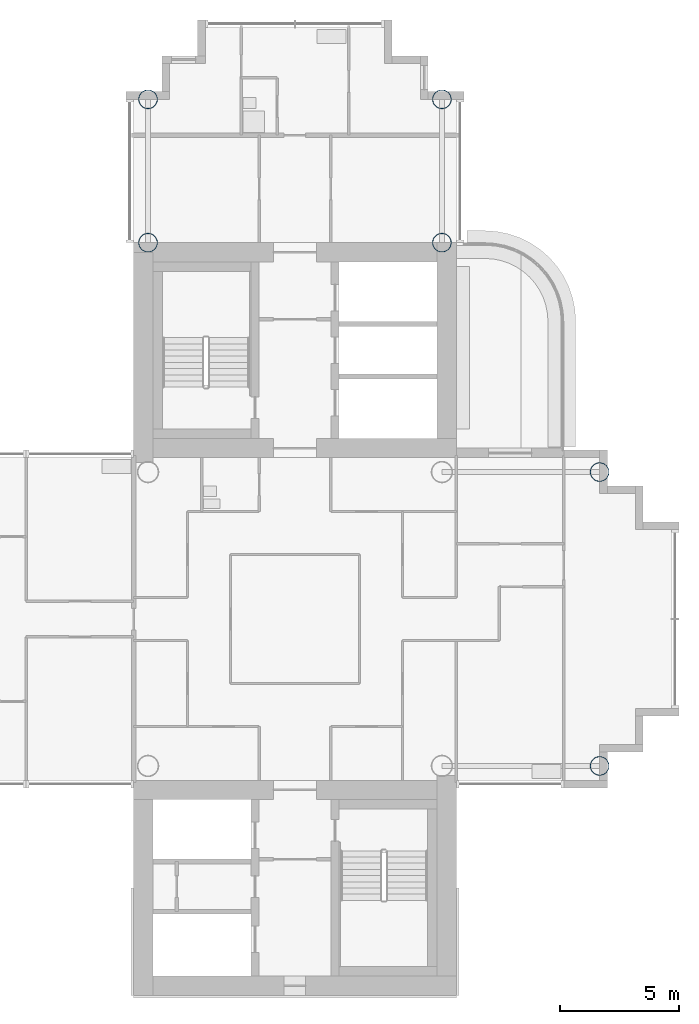
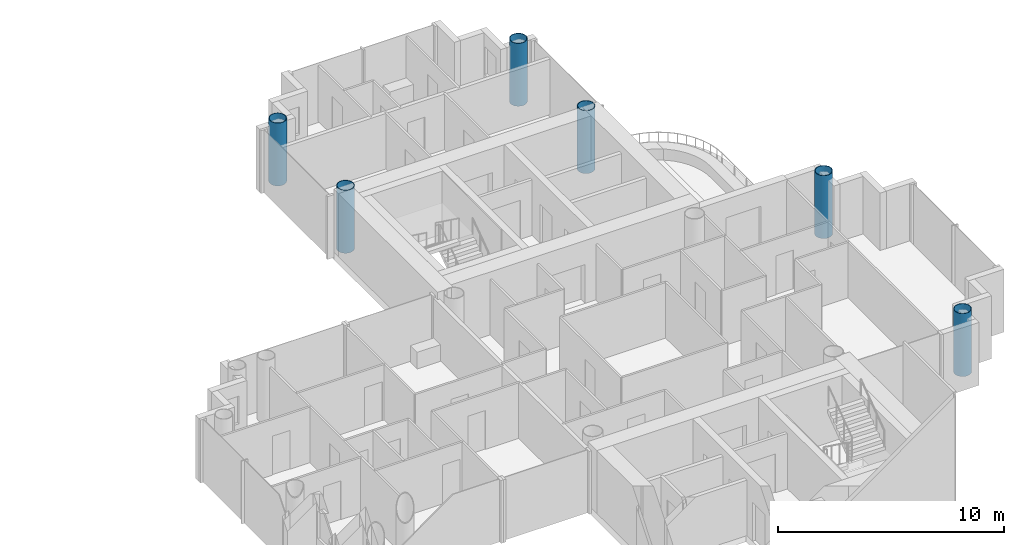
# One storey, part 2 of 20: 6 columns.
"""IFC4 building model written with IfcOpenShell, lengths in metres."""

from ifc_helpers import new_model, si_unit, direction, frame, origin, origin_2d, place, context, subcontext, project, spatial, hollow_circle, extrude, material, material_profile, profile_set, type_object, element, save


model = new_model("IFC4")

# Units and contexts
model_context = context("Model", 3, precision=1e-05, world=origin(), true_north=direction((0.0, 1.0)))
body_context = subcontext(model_context, "Body", "Model", "MODEL_VIEW")
ifc_project = project(units=[si_unit("LENGTHUNIT", "METRE"), si_unit("AREAUNIT", "SQUARE_METRE"), si_unit("VOLUMEUNIT", "CUBIC_METRE"), si_unit("PLANEANGLEUNIT", "RADIAN"), si_unit("MASSUNIT", "GRAM", prefix="KILO")], contexts=[model_context])

# Site, building, storey
site_placement = place(None, origin())
site = spatial("IfcSite", under=ifc_project, at=site_placement, CompositionType="ELEMENT")
building_placement = place(site_placement, origin())
building = spatial("IfcBuilding", under=site, at=building_placement, Name="Ipe Terrace Towers", CompositionType="ELEMENT")
storey_placement = place(building_placement, frame((0.0, 0.0, 160.89990234375)))
storey = spatial("IfcBuildingStorey", under=building, at=storey_placement, Name="L44", CompositionType="ELEMENT", Elevation=160.89990234375)

# Columns
ifc_material = material(Name="Steel S355 tube with Concrete C60/75 fill", Category="concrete")
ifc_material_profile = material_profile(ifc_material, hollow_circle(Radius=0.39990234375, WallThickness=0.028076171875, at=origin_2d()), Name="CHS-800x28")
ifc_profile_set = profile_set([ifc_material_profile], Name="Steel S355 tube with Concrete C60/75 fill")
column_type = type_object("IfcColumnType", Name="CH09 COLUMN CHS-800x28", PredefinedType="COLUMN", material=ifc_profile_set)
for number, where, z_axis, x_axis, name in (
    (1, (42.14990234375, 15.75, 0.0), (0.0, 0.0, 1.0), (1.0, 0.0, 0.0), "Column T2-C-A01"),
    (2, (29.85009765625, 15.75, 0.0), (0.0, 0.0, 1.0), (1.0, 0.0, 0.0), "Column T2-C-A02"),
    (3, (42.14990234375, 21.75, 0.0), (0.0, 0.0, 1.0), (1.0, 0.0, 0.0), "Column T2-C-A03"),
    (4, (29.85009765625, 21.75, 0.0), (0.0, 0.0, 1.0), (1.0, 0.0, 0.0), "Column T2-C-A04"),
    (5, (48.75, -6.14990234375, 0.0), (0.0, 0.0, 1.0), (1.0, 0.0, 0.0), "Column T2-C-D01"),
    (6, (48.75, 6.14990234375, 0.0), (0.0, 0.0, 1.0), (1.0, 0.0, 0.0), "Column T2-C-D02"),
):
    element("IfcColumn", number, at=place(storey_placement, frame(where, z_axis=z_axis, x_axis=x_axis)), inside=storey, type_object=column_type, Name=name, PredefinedType="COLUMN", context=body_context, shape_type="SweptSolid", body=[
        extrude(hollow_circle(Radius=0.39990234375, WallThickness=0.028076171875, at=origin_2d()), origin(), (0.0, 0.0, 1.0), 3.400146484375),
    ])

save(model, "model.ifc")
